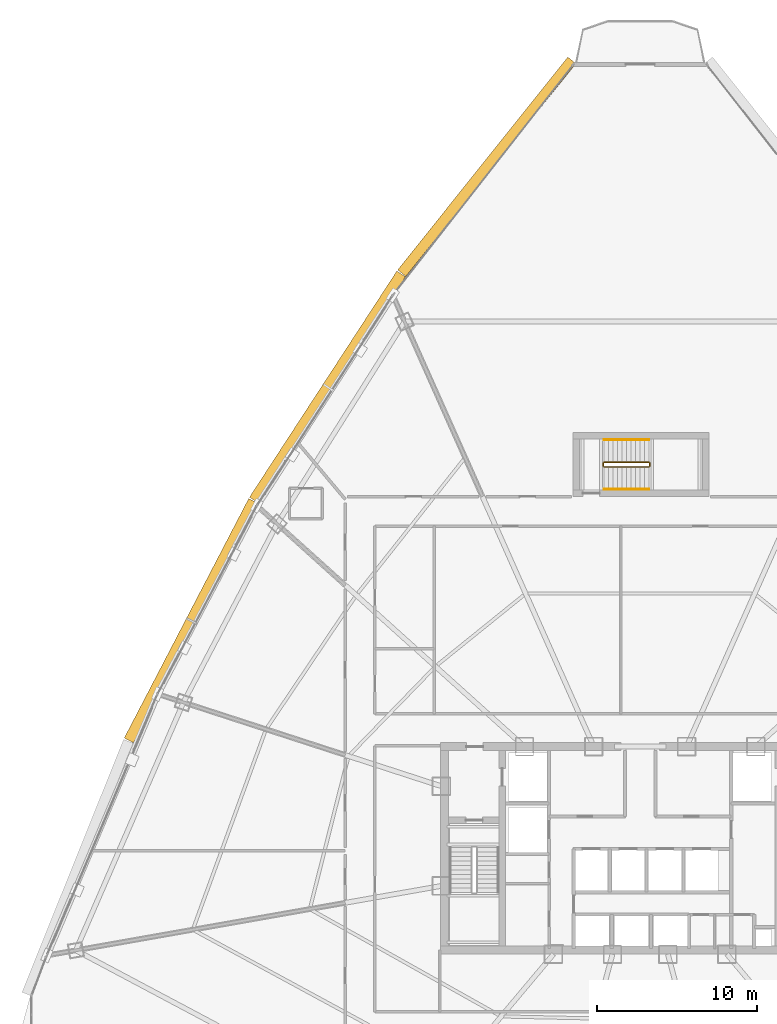
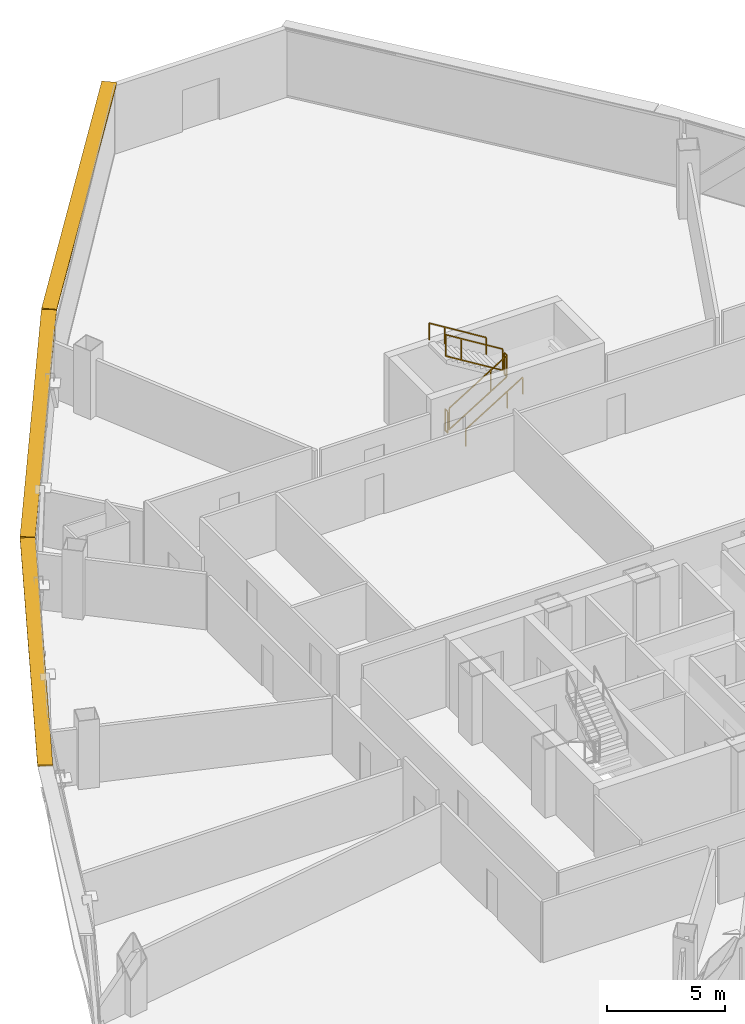
# One storey, part 36 of 37: 6 railings, 3 shading devices.
"""IFC4 building model written with IfcOpenShell, lengths in metres."""

from ifc_helpers import new_model, si_unit, direction, frame, origin, origin_2d, place, context, subcontext, project, spatial, rectangle, extrude, source, transform, mapped, material, layer, layer_set, type_object, element, save


model = new_model("IFC4")

# Units and contexts
model_context = context("Model", 3, precision=1e-05, world=origin(), true_north=direction((0.0, 1.0)))
body_context = subcontext(model_context, "Body", "Model", "MODEL_VIEW")
ifc_project = project(units=[si_unit("LENGTHUNIT", "METRE"), si_unit("AREAUNIT", "SQUARE_METRE"), si_unit("VOLUMEUNIT", "CUBIC_METRE"), si_unit("PLANEANGLEUNIT", "RADIAN"), si_unit("MASSUNIT", "GRAM", prefix="KILO"), si_unit("THERMODYNAMICTEMPERATUREUNIT", "KELVIN"), si_unit("POWERUNIT", "WATT")], contexts=[model_context])

# Site, building, storey
site_placement = place(None, origin())
site = spatial("IfcSite", under=ifc_project, at=site_placement, CompositionType="ELEMENT")
building_placement = place(site_placement, origin())
building = spatial("IfcBuilding", under=site, at=building_placement, Name="Yunzhuo Pagoda Commons", CompositionType="ELEMENT")
storey_placement = place(building_placement, frame((0.0, 0.0, 207.56005859375)))
storey = spatial("IfcBuildingStorey", under=building, at=storey_placement, Name="L52", CompositionType="ELEMENT", Elevation=207.56005859375)

# Railings
ifc_material = material(Name="Anodized aluminium 6063-T6", Category="aluminium")
railing_type_1 = type_object("IfcRailingType", Name="GR-ST3 North Well Guardrail 1155", PredefinedType="GUARDRAIL", material=ifc_material)
railing_1_placement = place(storey_placement, frame((45.75, 57.64990234375, 0.172607421875)))
element("IfcRailing", 1, at=railing_1_placement, inside=storey, type_object=railing_type_1, Name="L52 ST3 stair guard 1", PredefinedType="GUARDRAIL", context=body_context, shape_type="SweptSolid", body=[
    extrude(rectangle(XDim=0.048095703125, YDim=0.048095703125, at=origin_2d()), frame((0.0, 0.0, 1.1259765625), z_axis=(0.851089632645, 0.0, 0.525020415988), x_axis=(0.0, 1.0, 0.0)), (0.0, 0.0, 1.0), 3.2900390625),
    extrude(rectangle(XDim=0.048095703125, YDim=0.048095703125, at=origin_2d()), frame((0.0, 0.0, 0.02392578125), z_axis=(0.851089632645, 0.0, 0.525020415988), x_axis=(0.0, 1.0, 0.0)), (0.0, 0.0, 1.0), 3.2900390625),
    extrude(rectangle(XDim=0.0419921875, YDim=0.0419921875, at=origin_2d()), origin(), (0.0, 0.0, 1.0), 1.101806640625),
    extrude(rectangle(XDim=0.0419921875, YDim=0.0419921875, at=origin_2d()), frame((2.042724609375, 0.0, 1.260009765625)), (0.0, 0.0, 1.0), 1.101806640625),
    extrude(rectangle(XDim=0.0419921875, YDim=0.0419921875, at=origin_2d()), frame((2.800048828125, 0.0, 1.727294921875)), (0.0, 0.0, 1.0), 1.101806640625),
])
railing_2_placement = place(storey_placement, frame((48.60009765625, 57.699951171875, 1.89990234375)))
element("IfcRailing", 2, at=railing_2_placement, inside=storey, type_object=railing_type_1, Name="L52 ST3 stair guard 2", PredefinedType="GUARDRAIL", context=body_context, shape_type="SweptSolid", body=[
    extrude(rectangle(XDim=0.048095703125, YDim=0.048095703125, at=origin_2d()), frame((0.0, 0.0, 1.1259765625), z_axis=(0.0, 1.0, 0.0), x_axis=(-1.0, 0.0, 0.0)), (0.0, 0.0, 1.0), 0.199951171875),
    extrude(rectangle(XDim=0.048095703125, YDim=0.048095703125, at=origin_2d()), frame((0.0, 0.0, 0.02392578125), z_axis=(0.0, 1.0, 0.0), x_axis=(-1.0, 0.0, 0.0)), (0.0, 0.0, 1.0), 0.199951171875),
    extrude(rectangle(XDim=0.0419921875, YDim=0.0419921875, at=origin_2d()), origin(), (0.0, 0.0, 1.0), 1.101806640625),
    extrude(rectangle(XDim=0.0419921875, YDim=0.0419921875, at=origin_2d()), frame((0.0, 0.199951171875, 0.0)), (0.0, 0.0, 1.0), 1.101806640625),
])
railing_3_placement = place(storey_placement, frame((48.550048828125, 57.949951171875, 2.07275390625)))
element("IfcRailing", 3, at=railing_3_placement, inside=storey, type_object=railing_type_1, Name="L52 ST3 stair guard 3", PredefinedType="GUARDRAIL", context=body_context, shape_type="SweptSolid", body=[
    extrude(rectangle(XDim=0.048095703125, YDim=0.048095703125, at=origin_2d()), frame((0.0, 0.0, 1.1259765625), z_axis=(-0.851089632645, 0.0, 0.525020415988), x_axis=(0.0, -1.0, 0.0)), (0.0, 0.0, 1.0), 3.2900390625),
    extrude(rectangle(XDim=0.048095703125, YDim=0.048095703125, at=origin_2d()), frame((0.0, 0.0, 0.02392578125), z_axis=(-0.851089632645, 0.0, 0.525020415988), x_axis=(0.0, -1.0, 0.0)), (0.0, 0.0, 1.0), 3.2900390625),
    extrude(rectangle(XDim=0.0419921875, YDim=0.0419921875, at=origin_2d()), origin(), (0.0, 0.0, 1.0), 1.101806640625),
    extrude(rectangle(XDim=0.0419921875, YDim=0.0419921875, at=origin_2d()), frame((-2.042724609375, 0.0, 1.260009765625)), (0.0, 0.0, 1.0), 1.101806640625),
    extrude(rectangle(XDim=0.0419921875, YDim=0.0419921875, at=origin_2d()), frame((-2.800048828125, 0.0, 1.727294921875)), (0.0, 0.0, 1.0), 1.101806640625),
])
railing_4_placement = place(storey_placement, frame((45.699951171875, 57.699951171875, 0.0)))
element("IfcRailing", 4, at=railing_4_placement, inside=storey, type_object=railing_type_1, Name="L52 ST3 stair guard 4", PredefinedType="GUARDRAIL", context=body_context, shape_type="SweptSolid", body=[
    extrude(rectangle(XDim=0.048095703125, YDim=0.048095703125, at=origin_2d()), frame((0.0, 0.0, 1.1259765625), z_axis=(0.0, 1.0, 0.0), x_axis=(-1.0, 0.0, 0.0)), (0.0, 0.0, 1.0), 0.199951171875),
    extrude(rectangle(XDim=0.048095703125, YDim=0.048095703125, at=origin_2d()), frame((0.0, 0.0, 0.02392578125), z_axis=(0.0, 1.0, 0.0), x_axis=(-1.0, 0.0, 0.0)), (0.0, 0.0, 1.0), 0.199951171875),
    extrude(rectangle(XDim=0.0419921875, YDim=0.0419921875, at=origin_2d()), origin(), (0.0, 0.0, 1.0), 1.101806640625),
    extrude(rectangle(XDim=0.0419921875, YDim=0.0419921875, at=origin_2d()), frame((0.0, 0.199951171875, 0.0)), (0.0, 0.0, 1.0), 1.101806640625),
])
railing_type_2 = type_object("IfcRailingType", Name="HR-ST3 North Stair Handrail 900", PredefinedType="HANDRAIL", material=ifc_material)
railing_5_placement = place(storey_placement, frame((45.75, 56.25, 0.172607421875)))
element("IfcRailing", 5, at=railing_5_placement, inside=storey, type_object=railing_type_2, Name="L52 ST3 stair handrail 1", PredefinedType="HANDRAIL", context=body_context, shape_type="SweptSolid", body=[
    extrude(rectangle(XDim=0.048095703125, YDim=0.048095703125, at=origin_2d()), frame((0.0, 0.0, 0.8759765625), z_axis=(0.851089632645, 0.0, 0.525020415988), x_axis=(0.0, 1.0, 0.0)), (0.0, 0.0, 1.0), 3.2900390625),
    extrude(rectangle(XDim=0.0419921875, YDim=0.0419921875, at=origin_2d()), origin(), (0.0, 0.0, 1.0), 0.851806640625),
    extrude(rectangle(XDim=0.0419921875, YDim=0.0419921875, at=origin_2d()), frame((2.042724609375, 0.0, 1.260009765625)), (0.0, 0.0, 1.0), 0.851806640625),
    extrude(rectangle(XDim=0.0419921875, YDim=0.0419921875, at=origin_2d()), frame((2.800048828125, 0.0, 1.727294921875)), (0.0, 0.0, 1.0), 0.851806640625),
])
railing_6_placement = place(storey_placement, frame((48.550048828125, 59.35009765625, 2.07275390625)))
element("IfcRailing", 6, at=railing_6_placement, inside=storey, type_object=railing_type_2, Name="L52 ST3 stair handrail 2", PredefinedType="HANDRAIL", context=body_context, shape_type="SweptSolid", body=[
    extrude(rectangle(XDim=0.048095703125, YDim=0.048095703125, at=origin_2d()), frame((0.0, 0.0, 0.8759765625), z_axis=(-0.851089632645, 0.0, 0.525020415988), x_axis=(0.0, -1.0, 0.0)), (0.0, 0.0, 1.0), 3.2900390625),
    extrude(rectangle(XDim=0.0419921875, YDim=0.0419921875, at=origin_2d()), origin(), (0.0, 0.0, 1.0), 0.851806640625),
    extrude(rectangle(XDim=0.0419921875, YDim=0.0419921875, at=origin_2d()), frame((-2.042724609375, 0.0, 1.260009765625)), (0.0, 0.0, 1.0), 0.851806640625),
    extrude(rectangle(XDim=0.0419921875, YDim=0.0419921875, at=origin_2d()), frame((-2.800048828125, 0.0, 1.727294921875)), (0.0, 0.0, 1.0), 0.851806640625),
])

# Shading devices
ifc_layer = layer(ifc_material, 0.080078125)
ifc_layer_set = layer_set([ifc_layer], Name="Anodized aluminium 6063-T6")
shading_device_type = type_object("IfcShadingDeviceType", Name="SH-SUN1 Pagoda Horizontal Sunshade Eave 650", PredefinedType="USERDEFINED", material=ifc_layer_set)
shared_shape_1 = source(origin(), body_context, "Body", "SweptSolid", [
    extrude(rectangle(XDim=16.99755859375, YDim=0.64990234375, at=origin_2d()), origin(), (0.0, 0.0, 1.0), 0.080078125),
])
shading_device_placement = place(storey_placement, frame((38.4326171875, 76.37890625, 3.4599609375), z_axis=(0.0, 0.0, 1.0), x_axis=(-0.624520471688, -0.781008438138, 0.0)))
element("IfcShadingDevice", 7, at=shading_device_placement, inside=storey, type_object=shading_device_type, Name="L52 horizontal pagoda sunshade eave F3.1", ObjectType="SUNSHADE", PredefinedType="USERDEFINED", context=body_context, shape_type="MappedRepresentation", body=[
    mapped(shared_shape_1, transform((0.0, 0.0, 0.0), scale=1.0)),
])
shared_shape_2 = source(origin(), body_context, "Body", "SweptSolid", [
    extrude(rectangle(XDim=16.836181640625, YDim=0.64990234375, at=origin_2d()), origin(), (0.0, 0.0, 1.0), 0.080078125),
])
for number, where, z_axis, x_axis, name in (
    (8, (28.492919921875, 62.63671875, 3.4599609375), (0.0, 0.0, 1.0), (-0.545838756973, -0.837890238269, 0.0), "L52 horizontal pagoda sunshade eave F3.2"),
    (9, (19.9833984375, 48.05908203125, 3.4599609375), (0.0, 0.0, 1.0), (-0.461206683033, -0.88729273384, 0.0), "L52 horizontal pagoda sunshade eave F3.3"),
):
    element("IfcShadingDevice", number, at=place(storey_placement, frame(where, z_axis=z_axis, x_axis=x_axis)), inside=storey, type_object=shading_device_type, Name=name, ObjectType="SUNSHADE", PredefinedType="USERDEFINED", context=body_context, shape_type="MappedRepresentation", body=[
        mapped(shared_shape_2, transform((0.0, 0.0, 0.0), scale=1.0)),
    ])

save(model, "model.ifc")
